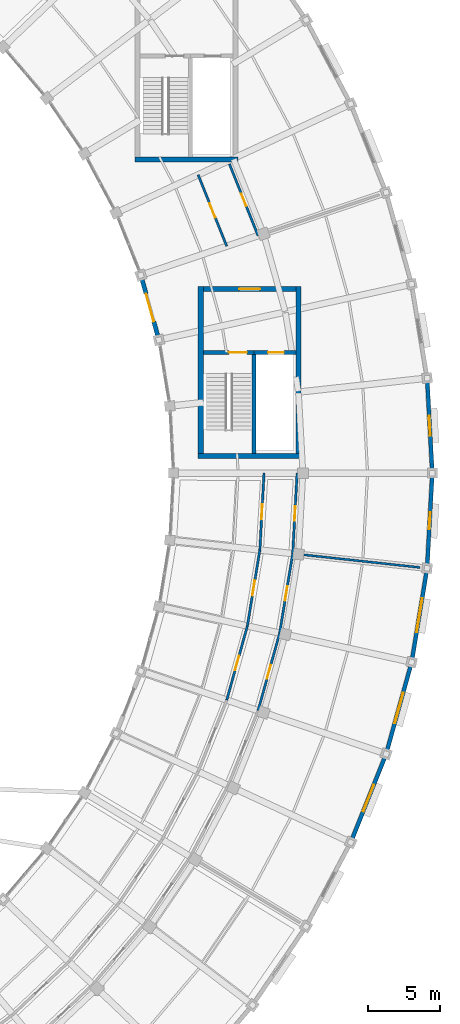
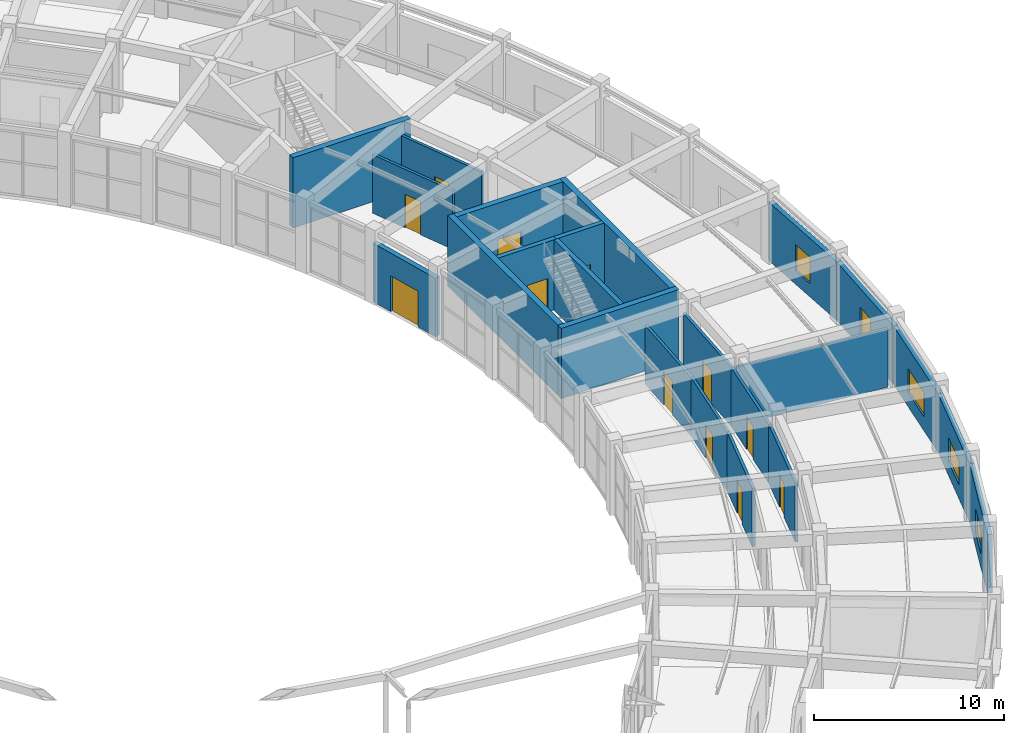
# One storey, part 94 of 108: 23 walls, 12 doors, 5 windows, 17 openings.
"""IFC4 building model written with IfcOpenShell, lengths in metres."""

from ifc_helpers import new_model, si_unit, direction, frame, frame_2d, origin, place, context, subcontext, project, spatial, rectangle, extrude, material, layer, layer_set, type_object, element, fill, save


model = new_model("IFC4")

# Units and contexts
model_context = context("Model", 3, precision=1e-05, world=origin(), true_north=direction((0.0, 1.0)))
body_context = subcontext(model_context, "Body", "Model", "MODEL_VIEW")
ifc_project = project(units=[si_unit("LENGTHUNIT", "METRE"), si_unit("AREAUNIT", "SQUARE_METRE"), si_unit("VOLUMEUNIT", "CUBIC_METRE"), si_unit("PLANEANGLEUNIT", "RADIAN"), si_unit("MASSUNIT", "GRAM", prefix="KILO")], contexts=[model_context])

# Site, building, storey
site_placement = place(None, origin())
site = spatial("IfcSite", under=ifc_project, at=site_placement, CompositionType="ELEMENT")
building_placement = place(site_placement, origin())
building = spatial("IfcBuilding", under=site, at=building_placement, Name="Tarnveldt Headland Concert Hall", CompositionType="ELEMENT")
storey_placement = place(building_placement, origin())
storey = spatial("IfcBuildingStorey", under=building, at=storey_placement, Name="L00", CompositionType="ELEMENT", Elevation=0.0)

# Walls
ifc_material_1 = material(Name="Concrete C40/50", Category="concrete")
ifc_layer_1 = layer(ifc_material_1, 0.35009765625, Name="Concrete C40/50", Category="concrete")
ifc_layer_set_1 = layer_set([ifc_layer_1], Name="Concrete C40/50")
wall_type_1 = type_object("IfcWallType", Name="WL-CR350", PredefinedType="SHEAR", material=ifc_layer_set_1)
wall_1_placement = place(storey_placement, frame((157.824951171875, 81.800048828125, 0.0), z_axis=(0.0, 0.0, 1.0), x_axis=(1.0, 0.0, 0.0)))
element("IfcWall", 1, at=wall_1_placement, inside=storey, type_object=wall_type_1, Name="Core C3 south shear wall L00", PredefinedType="SHEAR", context=body_context, shape_type="SweptSolid", body=[
    extrude(rectangle(XDim=7.150146484375, YDim=0.35009765625, at=frame_2d((3.5751953125, 0.0))), origin(), (0.0, 0.0, 1.0), 4.52001953125),
])
wall_2_placement = place(storey_placement, frame((162.22509765625, 61.199951171875, 0.0), z_axis=(0.0, 0.0, 1.0), x_axis=(1.0, 0.0, 0.0)))
element("IfcWall", 2, at=wall_2_placement, inside=storey, type_object=wall_type_1, Name="Core C4 south shear wall L00", PredefinedType="SHEAR", context=body_context, shape_type="SweptSolid", body=[
    extrude(rectangle(XDim=7.14990234375, YDim=0.35009765625, at=frame_2d((3.574951171875, 0.0))), origin(), (0.0, 0.0, 1.0), 4.52001953125),
])

# Wall, opening, door
wall_3_placement = place(storey_placement, frame((162.574951171875, 72.800048828125, 0.0), z_axis=(0.0, 0.0, 1.0), x_axis=(1.0, 0.0, 0.0)))
wall_3 = element("IfcWall", 3, at=wall_3_placement, inside=storey, type_object=wall_type_1, Name="Core C4 north shear wall L00", PredefinedType="SHEAR", context=body_context, shape_type="SweptSolid", body=[
    extrude(rectangle(XDim=6.449951171875, YDim=0.35009765625, at=frame_2d((3.22509765625, 0.0))), origin(), (0.0, 0.0, 1.0), 4.52001953125),
])
opening_1_placement = place(wall_3_placement, frame((2.5, 0.0, 0.0)))
opening_1 = element("IfcOpeningElement", 4, at=opening_1_placement, cuts=wall_3, Name="Opening LBD-C4-L00", PredefinedType="OPENING", context=body_context, shape_type="SweptSolid", body=[
    extrude(rectangle(XDim=1.449951171875, YDim=2.199951171875, at=frame_2d((0.72509765625, 1.10009765625))), frame((0.0, 0.18505859375, 0.0), z_axis=(0.0, -1.0, 0.0), x_axis=(1.0, 0.0, 0.0)), (0.0, 0.0, 1.0), 0.3701171875),
])
ifc_material_2 = material(Name="Galvanised painted steel sheet", Category="steel")
door_type_1 = type_object("IfcDoorType", Name="DR-LB145", OperationType="NOTDEFINED", PredefinedType="DOOR", material=ifc_material_2)
door_1_placement = place(opening_1_placement, origin())
door_1 = element("IfcDoor", 5, at=door_1_placement, inside=storey, type_object=door_type_1, Name="Core C4 lobby entrance door L00", OperationType="SINGLE_SWING_LEFT", OverallHeight=2.199951171875, OverallWidth=1.449951171875, PredefinedType="DOOR", context=body_context, shape_type="SweptSolid", body=[
    extrude(rectangle(XDim=1.449951171875, YDim=2.199951171875, at=frame_2d((0.72509765625, 1.10009765625))), frame((0.0, 0.02490234375, 0.0), z_axis=(0.0, -1.0, 0.0), x_axis=(1.0, 0.0, 0.0)), (0.0, 0.0, 1.0), 0.050048828125),
])
fill(opening_1, door_1)

# Walls
for number, where, z_axis, x_axis, name in (
    (6, (162.39990234375, 61.375, 0.0), (0.0, 0.0, 1.0), (0.0, 1.0, 0.0), "Core C4 west shear wall L00"),
    (7, (169.199951171875, 61.375, 0.0), (0.0, 0.0, 1.0), (0.0, 1.0, 0.0), "Core C4 east shear wall L00"),
):
    element("IfcWall", number, at=place(storey_placement, frame(where, z_axis=z_axis, x_axis=x_axis)), inside=storey, type_object=wall_type_1, Name=name, PredefinedType="SHEAR", context=body_context, shape_type="SweptSolid", body=[
        extrude(rectangle(XDim=11.60009765625, YDim=0.35009765625, at=frame_2d((5.800048828125, 0.0))), origin(), (0.0, 0.0, 1.0), 4.52001953125),
    ])

# Wall, opening, window
ifc_material_3 = material(Name="Coral-toned precast concrete C40/50", Category="concrete")
ifc_layer_2 = layer(ifc_material_3, 0.27490234375, Name="Coral-toned precast concrete C40/50", Category="concrete")
ifc_layer_set_2 = layer_set([ifc_layer_2], Name="Coral-toned precast concrete C40/50")
wall_type_2 = type_object("IfcWallType", Name="WL-EX275", PredefinedType="SOLIDWALL", material=ifc_layer_set_2)
wall_4_placement = place(storey_placement, frame((175.28369140625, 40.45751953125, 0.0), z_axis=(0.0, 0.0, 1.0), x_axis=(-0.371013273361, -0.928627563122, 0.0)))
wall_4 = element("IfcWall", 8, at=wall_4_placement, inside=storey, type_object=wall_type_2, Name="External precast wall L00-92", PredefinedType="SOLIDWALL", context=body_context, shape_type="SweptSolid", body=[
    extrude(rectangle(XDim=6.5810546875, YDim=0.27490234375, at=frame_2d((3.29052734375, 0.0))), origin(), (0.0, 0.0, 1.0), 3.758056640625),
])
opening_2_placement = place(wall_4_placement, frame((2.29052734375, 0.0, 0.89990234375)))
opening_2 = element("IfcOpeningElement", 9, at=opening_2_placement, cuts=wall_4, Name="Opening W-C029", PredefinedType="OPENING", context=body_context, shape_type="SweptSolid", body=[
    extrude(rectangle(XDim=2.0, YDim=1.550048828125, at=frame_2d((1.0, 0.77490234375))), frame((0.0, 0.1474609375, 0.0), z_axis=(0.0, -1.0, 0.0), x_axis=(1.0, 0.0, 0.0)), (0.0, 0.0, 1.0), 0.294921875),
])
ifc_material_4 = material(Name="Acoustic laminated low-iron double glazing", Category="glass")
window_type_1 = type_object("IfcWindowType", Name="WN-06", PartitioningType="SINGLE_PANEL", PredefinedType="WINDOW", material=ifc_material_4)
window_1_placement = place(opening_2_placement, origin())
window_1 = element("IfcWindow", 10, at=window_1_placement, inside=storey, type_object=window_type_1, Name="Crescent coastal studio window L00-6", OverallHeight=1.550048828125, OverallWidth=2.0, PartitioningType="SINGLE_PANEL", PredefinedType="WINDOW", context=body_context, shape_type="SweptSolid", body=[
    extrude(rectangle(XDim=2.0, YDim=1.550048828125, at=frame_2d((1.0, 0.77490234375))), frame((0.0, 0.030029296875, 0.0), z_axis=(0.0, -1.0, 0.0), x_axis=(1.0, 0.0, 0.0)), (0.0, 0.0, 1.0), 0.06005859375),
])
fill(opening_2, window_1)

wall_5_placement = place(storey_placement, frame((177.061279296875, 46.835693359375, 0.0), z_axis=(0.0, 0.0, 1.0), x_axis=(-0.268139380464, -0.96338012884, 0.0)))
wall_5 = element("IfcWall", 11, at=wall_5_placement, inside=storey, type_object=wall_type_2, Name="External precast wall L00-93", PredefinedType="SOLIDWALL", context=body_context, shape_type="SweptSolid", body=[
    extrude(rectangle(XDim=6.5810546875, YDim=0.27490234375, at=frame_2d((3.29052734375, 0.0))), origin(), (0.0, 0.0, 1.0), 3.758056640625),
])
opening_3_placement = place(wall_5_placement, frame((2.190673828125, 0.0, 0.89990234375)))
opening_3 = element("IfcOpeningElement", 12, at=opening_3_placement, cuts=wall_5, Name="Opening W-C030", PredefinedType="OPENING", context=body_context, shape_type="SweptSolid", body=[
    extrude(rectangle(XDim=2.199951171875, YDim=1.550048828125, at=frame_2d((1.10009765625, 0.77490234375))), frame((0.0, 0.1474609375, 0.0), z_axis=(0.0, -1.0, 0.0), x_axis=(1.0, 0.0, 0.0)), (0.0, 0.0, 1.0), 0.294921875),
])
window_type_2 = type_object("IfcWindowType", Name="WN-07", PartitioningType="SINGLE_PANEL", PredefinedType="WINDOW", material=ifc_material_4)
window_2_placement = place(opening_3_placement, origin())
window_2 = element("IfcWindow", 13, at=window_2_placement, inside=storey, type_object=window_type_2, Name="Crescent coastal studio window L00-7", OverallHeight=1.550048828125, OverallWidth=2.199951171875, PartitioningType="SINGLE_PANEL", PredefinedType="WINDOW", context=body_context, shape_type="SweptSolid", body=[
    extrude(rectangle(XDim=2.199951171875, YDim=1.550048828125, at=frame_2d((1.10009765625, 0.77490234375))), frame((0.0, 0.030029296875, 0.0), z_axis=(0.0, -1.0, 0.0), x_axis=(1.0, 0.0, 0.0)), (0.0, 0.0, 1.0), 0.06005859375),
])
fill(opening_3, window_2)

wall_6_placement = place(storey_placement, frame((178.137451171875, 53.368896484375, 0.0), z_axis=(0.0, 0.0, 1.0), x_axis=(-0.162178892589, -0.986761372774, 0.0)))
wall_6 = element("IfcWall", 14, at=wall_6_placement, inside=storey, type_object=wall_type_2, Name="External precast wall L00-94", PredefinedType="SOLIDWALL", context=body_context, shape_type="SweptSolid", body=[
    extrude(rectangle(XDim=6.58154296875, YDim=0.27490234375, at=frame_2d((3.290771484375, 0.0))), origin(), (0.0, 0.0, 1.0), 3.758056640625),
])
opening_4_placement = place(wall_6_placement, frame((2.0908203125, 0.0, 0.89990234375)))
opening_4 = element("IfcOpeningElement", 15, at=opening_4_placement, cuts=wall_6, Name="Opening W-C031", PredefinedType="OPENING", context=body_context, shape_type="SweptSolid", body=[
    extrude(rectangle(XDim=2.39990234375, YDim=1.550048828125, at=frame_2d((1.199951171875, 0.77490234375))), frame((0.0, 0.1474609375, 0.0), z_axis=(0.0, -1.0, 0.0), x_axis=(1.0, 0.0, 0.0)), (0.0, 0.0, 1.0), 0.294921875),
])
window_type_3 = type_object("IfcWindowType", Name="WN-08", PartitioningType="SINGLE_PANEL", PredefinedType="WINDOW", material=ifc_material_4)
window_3_placement = place(opening_4_placement, origin())
window_3 = element("IfcWindow", 16, at=window_3_placement, inside=storey, type_object=window_type_3, Name="Crescent coastal studio window L00-8", OverallHeight=1.550048828125, OverallWidth=2.39990234375, PartitioningType="SINGLE_PANEL", PredefinedType="WINDOW", context=body_context, shape_type="SweptSolid", body=[
    extrude(rectangle(XDim=2.39990234375, YDim=1.550048828125, at=frame_2d((1.199951171875, 0.77490234375))), frame((0.0, 0.030029296875, 0.0), z_axis=(0.0, -1.0, 0.0), x_axis=(1.0, 0.0, 0.0)), (0.0, 0.0, 1.0), 0.06005859375),
])
fill(opening_4, window_3)

wall_7_placement = place(storey_placement, frame((178.498779296875, 59.97998046875, 0.0), z_axis=(0.0, 0.0, 1.0), x_axis=(-0.05427216263, -0.998526180109, 0.0)))
wall_7 = element("IfcWall", 17, at=wall_7_placement, inside=storey, type_object=wall_type_2, Name="External precast wall L00-95", PredefinedType="SOLIDWALL", context=body_context, shape_type="SweptSolid", body=[
    extrude(rectangle(XDim=6.581298828125, YDim=0.27490234375, at=frame_2d((3.29052734375, 0.0))), origin(), (0.0, 0.0, 1.0), 3.758056640625),
])
opening_5_placement = place(wall_7_placement, frame((2.690673828125, 0.0, 0.85009765625)))
opening_5 = element("IfcOpeningElement", 18, at=opening_5_placement, cuts=wall_7, Name="Opening W-C032", PredefinedType="OPENING", context=body_context, shape_type="SweptSolid", body=[
    extrude(rectangle(XDim=1.199951171875, YDim=1.699951171875, at=frame_2d((0.60009765625, 0.85009765625))), frame((0.0, 0.1474609375, 0.0), z_axis=(0.0, -1.0, 0.0), x_axis=(1.0, 0.0, 0.0)), (0.0, 0.0, 1.0), 0.294921875),
])
window_type_4 = type_object("IfcWindowType", Name="WN-09", PartitioningType="SINGLE_PANEL", PredefinedType="WINDOW", material=ifc_material_4)
window_4_placement = place(opening_5_placement, origin())
window_4 = element("IfcWindow", 19, at=window_4_placement, inside=storey, type_object=window_type_4, Name="Crescent coastal studio window L00-9", OverallHeight=1.699951171875, OverallWidth=1.199951171875, PartitioningType="SINGLE_PANEL", PredefinedType="WINDOW", context=body_context, shape_type="SweptSolid", body=[
    extrude(rectangle(XDim=1.199951171875, YDim=1.699951171875, at=frame_2d((0.60009765625, 0.85009765625))), frame((0.0, 0.030029296875, 0.0), z_axis=(0.0, -1.0, 0.0), x_axis=(1.0, 0.0, 0.0)), (0.0, 0.0, 1.0), 0.06005859375),
])
fill(opening_5, window_4)

wall_8_placement = place(storey_placement, frame((178.1416015625, 66.591552734375, 0.0), z_axis=(0.0, 0.0, 1.0), x_axis=(0.05427216263, -0.998526180109, 0.0)))
wall_8 = element("IfcWall", 20, at=wall_8_placement, inside=storey, type_object=wall_type_2, Name="External precast wall L00-96", PredefinedType="SOLIDWALL", context=body_context, shape_type="SweptSolid", body=[
    extrude(rectangle(XDim=6.581298828125, YDim=0.27490234375, at=frame_2d((3.29052734375, 0.0))), origin(), (0.0, 0.0, 1.0), 3.758056640625),
])
opening_6_placement = place(wall_8_placement, frame((2.590576171875, 0.0, 0.85009765625)))
opening_6 = element("IfcOpeningElement", 21, at=opening_6_placement, cuts=wall_8, Name="Opening W-C033", PredefinedType="OPENING", context=body_context, shape_type="SweptSolid", body=[
    extrude(rectangle(XDim=1.39990234375, YDim=1.699951171875, at=frame_2d((0.699951171875, 0.85009765625))), frame((0.0, 0.1474609375, 0.0), z_axis=(0.0, -1.0, 0.0), x_axis=(1.0, 0.0, 0.0)), (0.0, 0.0, 1.0), 0.294921875),
])
window_type_5 = type_object("IfcWindowType", Name="WN-10", PartitioningType="SINGLE_PANEL", PredefinedType="WINDOW", material=ifc_material_4)
window_5_placement = place(opening_6_placement, origin())
window_5 = element("IfcWindow", 22, at=window_5_placement, inside=storey, type_object=window_type_5, Name="Crescent coastal studio window L00-10", OverallHeight=1.699951171875, OverallWidth=1.39990234375, PartitioningType="SINGLE_PANEL", PredefinedType="WINDOW", context=body_context, shape_type="SweptSolid", body=[
    extrude(rectangle(XDim=1.39990234375, YDim=1.699951171875, at=frame_2d((0.699951171875, 0.85009765625))), frame((0.0, 0.030029296875, 0.0), z_axis=(0.0, -1.0, 0.0), x_axis=(1.0, 0.0, 0.0)), (0.0, 0.0, 1.0), 0.06005859375),
])
fill(opening_6, window_5)

# Wall, opening, door
ifc_layer_3 = layer(ifc_material_3, 0.300048828125, Name="Coral-toned precast concrete C40/50", Category="concrete")
ifc_layer_set_3 = layer_set([ifc_layer_3], Name="Coral-toned precast concrete C40/50")
wall_type_3 = type_object("IfcWallType", Name="WL-EX300", PredefinedType="SOLIDWALL", material=ifc_layer_set_3)
wall_9_placement = place(storey_placement, frame((159.484375, 69.285400390625, 0.0), z_axis=(0.0, 0.0, 1.0), x_axis=(-0.268171711462, 0.963371129509, 0.0)))
wall_9 = element("IfcWall", 23, at=wall_9_placement, inside=storey, type_object=wall_type_3, Name="External precast wall L00-98", PredefinedType="SOLIDWALL", context=body_context, shape_type="SweptSolid", body=[
    extrude(rectangle(XDim=4.62744140625, YDim=0.300048828125, at=frame_2d((2.313720703125, 0.0))), origin(), (0.0, 0.0, 1.0), 3.758056640625),
])
opening_7_placement = place(wall_9_placement, frame((1.313720703125, 0.0, 0.0)))
opening_7 = element("IfcOpeningElement", 24, at=opening_7_placement, cuts=wall_9, Name="Opening EX-11", PredefinedType="OPENING", context=body_context, shape_type="SweptSolid", body=[
    extrude(rectangle(XDim=2.0, YDim=2.300048828125, at=frame_2d((1.0, 1.14990234375))), frame((0.0, 0.159912109375, 0.0), z_axis=(0.0, -1.0, 0.0), x_axis=(1.0, 0.0, 0.0)), (0.0, 0.0, 1.0), 0.320068359375),
])
ifc_material_5 = material(Name="Marine-anodised aluminium EN AW-6063-T6", Category="aluminium")
door_type_2 = type_object("IfcDoorType", Name="DR-EX200", OperationType="NOTDEFINED", PredefinedType="DOOR", material=ifc_material_5)
door_2_placement = place(opening_7_placement, origin())
door_2 = element("IfcDoor", 25, at=door_2_placement, inside=storey, type_object=door_type_2, Name="Crescent forecourt exit door EX-11", OperationType="DOUBLE_DOOR_SINGLE_SWING", OverallHeight=2.300048828125, OverallWidth=2.0, PredefinedType="DOOR", context=body_context, shape_type="SweptSolid", body=[
    extrude(rectangle(XDim=2.0, YDim=2.300048828125, at=frame_2d((1.0, 1.14990234375))), frame((0.0, 0.02490234375, 0.0), z_axis=(0.0, -1.0, 0.0), x_axis=(1.0, 0.0, 0.0)), (0.0, 0.0, 1.0), 0.050048828125),
])
fill(opening_7, door_2)

# Wall
ifc_material_6 = material(Name="Acoustic multi-layer gypsum and mineral-wool partition", Category="gypsum")
ifc_layer_4 = layer(ifc_material_6, 0.14990234375, Name="Acoustic multi-layer gypsum and mineral-wool partition", Category="gypsum")
ifc_layer_set_4 = layer_set([ifc_layer_4], Name="Acoustic multi-layer gypsum and mineral-wool partition")
wall_type_4 = type_object("IfcWallType", Name="WL-PT150", PredefinedType="PARTITIONING", material=ifc_layer_set_4)
wall_10_placement = place(storey_placement, frame((168.994873046875, 54.3857421875, 0.0), z_axis=(0.0, 0.0, 1.0), x_axis=(0.994106851206, -0.108404651128, 0.0)))
element("IfcWall", 26, at=wall_10_placement, inside=storey, type_object=wall_type_4, Name="Interior acoustic partition L00-159", PredefinedType="PARTITIONING", context=body_context, shape_type="SweptSolid", body=[
    extrude(rectangle(XDim=8.699951171875, YDim=0.14990234375, at=frame_2d((4.35009765625, 0.0))), origin(), (0.0, 0.0, 1.0), 3.760009765625),
])

# Wall, opening, door
ifc_layer_5 = layer(ifc_material_6, 0.1650390625, Name="Acoustic multi-layer gypsum and mineral-wool partition", Category="gypsum")
ifc_layer_set_5 = layer_set([ifc_layer_5], Name="Acoustic multi-layer gypsum and mineral-wool partition")
wall_type_5 = type_object("IfcWallType", Name="WL-PT165", PredefinedType="PARTITIONING", material=ifc_layer_set_5)
wall_11_placement = place(storey_placement, frame((164.206787109375, 44.220947265625, 0.0), z_axis=(0.0, 0.0, 1.0), x_axis=(0.268128561912, 0.963383139923, 0.0)))
wall_11 = element("IfcWall", 27, at=wall_11_placement, inside=storey, type_object=wall_type_5, Name="Interior acoustic partition L00-153", PredefinedType="PARTITIONING", context=body_context, shape_type="SweptSolid", body=[
    extrude(rectangle(XDim=5.351318359375, YDim=0.1650390625, at=frame_2d((2.67578125, 0.0))), origin(), (0.0, 0.0, 1.0), 3.760009765625),
])
opening_8_placement = place(wall_11_placement, frame((2.150634765625, 0.0, 0.0)))
opening_8 = element("IfcOpeningElement", 28, at=opening_8_placement, cuts=wall_11, Name="Opening D-L00-167", PredefinedType="OPENING", context=body_context, shape_type="SweptSolid", body=[
    extrude(rectangle(XDim=1.050048828125, YDim=2.14990234375, at=frame_2d((0.52490234375, 1.074951171875))), frame((0.0, 0.092529296875, 0.0), z_axis=(0.0, -1.0, 0.0), x_axis=(1.0, 0.0, 0.0)), (0.0, 0.0, 1.0), 0.18505859375),
])
ifc_material_7 = material(Name="Treated East African mvule hardwood", Category="wood")
door_type_3 = type_object("IfcDoorType", Name="DR-RM105", OperationType="NOTDEFINED", PredefinedType="DOOR", material=ifc_material_7)
door_3_placement = place(opening_8_placement, origin())
door_3 = element("IfcDoor", 29, at=door_3_placement, inside=storey, type_object=door_type_3, Name="Interior room door L00-167", OperationType="SINGLE_SWING_LEFT", OverallHeight=2.14990234375, OverallWidth=1.050048828125, PredefinedType="DOOR", context=body_context, shape_type="SweptSolid", body=[
    extrude(rectangle(XDim=1.050048828125, YDim=2.14990234375, at=frame_2d((0.52490234375, 1.074951171875))), frame((0.0, 0.02490234375, 0.0), z_axis=(0.0, -1.0, 0.0), x_axis=(1.0, 0.0, 0.0)), (0.0, 0.0, 1.0), 0.050048828125),
])
fill(opening_8, door_3)

wall_12_placement = place(storey_placement, frame((166.3857421875, 43.48486328125, 0.0), z_axis=(0.0, 0.0, 1.0), x_axis=(0.268163153024, 0.963373511863, 0.0)))
wall_12 = element("IfcWall", 30, at=wall_12_placement, inside=storey, type_object=wall_type_5, Name="Interior acoustic partition L00-154", PredefinedType="PARTITIONING", context=body_context, shape_type="SweptSolid", body=[
    extrude(rectangle(XDim=5.600830078125, YDim=0.1650390625, at=frame_2d((2.80029296875, 0.0))), origin(), (0.0, 0.0, 1.0), 3.760009765625),
])
opening_9_placement = place(wall_12_placement, frame((2.300537109375, 0.0, 0.0)))
opening_9 = element("IfcOpeningElement", 31, at=opening_9_placement, cuts=wall_12, Name="Opening D-L00-168", PredefinedType="OPENING", context=body_context, shape_type="SweptSolid", body=[
    extrude(rectangle(XDim=1.0, YDim=2.1201171875, at=frame_2d((0.5, 1.06005859375))), frame((0.0, 0.092529296875, 0.0), z_axis=(0.0, -1.0, 0.0), x_axis=(1.0, 0.0, 0.0)), (0.0, 0.0, 1.0), 0.18505859375),
])
door_type_4 = type_object("IfcDoorType", Name="DR-RM100", OperationType="NOTDEFINED", PredefinedType="DOOR", material=ifc_material_7)
door_4_placement = place(opening_9_placement, origin())
door_4 = element("IfcDoor", 32, at=door_4_placement, inside=storey, type_object=door_type_4, Name="Interior room door L00-168", OperationType="SINGLE_SWING_RIGHT", OverallHeight=2.1201171875, OverallWidth=1.0, PredefinedType="DOOR", context=body_context, shape_type="SweptSolid", body=[
    extrude(rectangle(XDim=1.0, YDim=2.1201171875, at=frame_2d((0.5, 1.06005859375))), frame((0.0, 0.02490234375, 0.0), z_axis=(0.0, -1.0, 0.0), x_axis=(1.0, 0.0, 0.0)), (0.0, 0.0, 1.0), 0.050048828125),
])
fill(opening_9, door_4)

wall_13_placement = place(storey_placement, frame((165.6416015625, 49.376220703125, 0.0), z_axis=(0.0, 0.0, 1.0), x_axis=(0.162193820857, 0.986758919127, 0.0)))
wall_13 = element("IfcWall", 33, at=wall_13_placement, inside=storey, type_object=wall_type_5, Name="Interior acoustic partition L00-155", PredefinedType="PARTITIONING", context=body_context, shape_type="SweptSolid", body=[
    extrude(rectangle(XDim=5.35107421875, YDim=0.1650390625, at=frame_2d((2.675537109375, 0.0))), origin(), (0.0, 0.0, 1.0), 3.760009765625),
])
opening_10_placement = place(wall_13_placement, frame((2.150634765625, 0.0, 0.0)))
opening_10 = element("IfcOpeningElement", 34, at=opening_10_placement, cuts=wall_13, Name="Opening D-L00-169", PredefinedType="OPENING", context=body_context, shape_type="SweptSolid", body=[
    extrude(rectangle(XDim=1.050048828125, YDim=2.14990234375, at=frame_2d((0.52490234375, 1.074951171875))), frame((0.0, 0.092529296875, 0.0), z_axis=(0.0, -1.0, 0.0), x_axis=(1.0, 0.0, 0.0)), (0.0, 0.0, 1.0), 0.18505859375),
])
door_5_placement = place(opening_10_placement, origin())
door_5 = element("IfcDoor", 35, at=door_5_placement, inside=storey, type_object=door_type_3, Name="Interior room door L00-169", OperationType="SINGLE_SWING_LEFT", OverallHeight=2.14990234375, OverallWidth=1.050048828125, PredefinedType="DOOR", context=body_context, shape_type="SweptSolid", body=[
    extrude(rectangle(XDim=1.050048828125, YDim=2.14990234375, at=frame_2d((0.52490234375, 1.074951171875))), frame((0.0, 0.02490234375, 0.0), z_axis=(0.0, -1.0, 0.0), x_axis=(1.0, 0.0, 0.0)), (0.0, 0.0, 1.0), 0.050048828125),
])
fill(opening_10, door_5)

wall_14_placement = place(storey_placement, frame((167.8876953125, 48.880615234375, 0.0), z_axis=(0.0, 0.0, 1.0), x_axis=(0.162157760567, 0.986764845689, 0.0)))
wall_14 = element("IfcWall", 36, at=wall_14_placement, inside=storey, type_object=wall_type_5, Name="Interior acoustic partition L00-156", PredefinedType="PARTITIONING", context=body_context, shape_type="SweptSolid", body=[
    extrude(rectangle(XDim=5.600830078125, YDim=0.1650390625, at=frame_2d((2.80029296875, 0.0))), origin(), (0.0, 0.0, 1.0), 3.760009765625),
])
opening_11_placement = place(wall_14_placement, frame((2.30029296875, 0.0, 0.0)))
opening_11 = element("IfcOpeningElement", 37, at=opening_11_placement, cuts=wall_14, Name="Opening D-L00-170", PredefinedType="OPENING", context=body_context, shape_type="SweptSolid", body=[
    extrude(rectangle(XDim=1.0, YDim=2.1201171875, at=frame_2d((0.5, 1.06005859375))), frame((0.0, 0.092529296875, 0.0), z_axis=(0.0, -1.0, 0.0), x_axis=(1.0, 0.0, 0.0)), (0.0, 0.0, 1.0), 0.18505859375),
])
door_6_placement = place(opening_11_placement, origin())
door_6 = element("IfcDoor", 38, at=door_6_placement, inside=storey, type_object=door_type_4, Name="Interior room door L00-170", OperationType="SINGLE_SWING_RIGHT", OverallHeight=2.1201171875, OverallWidth=1.0, PredefinedType="DOOR", context=body_context, shape_type="SweptSolid", body=[
    extrude(rectangle(XDim=1.0, YDim=2.1201171875, at=frame_2d((0.5, 1.06005859375))), frame((0.0, 0.02490234375, 0.0), z_axis=(0.0, -1.0, 0.0), x_axis=(1.0, 0.0, 0.0)), (0.0, 0.0, 1.0), 0.050048828125),
])
fill(opening_11, door_6)

wall_15_placement = place(storey_placement, frame((166.509521484375, 54.656494140625, 0.0), z_axis=(0.0, 0.0, 1.0), x_axis=(0.054289989542, 0.998525211016, 0.0)))
wall_15 = element("IfcWall", 39, at=wall_15_placement, inside=storey, type_object=wall_type_5, Name="Interior acoustic partition L00-157", PredefinedType="PARTITIONING", context=body_context, shape_type="SweptSolid", body=[
    extrude(rectangle(XDim=5.351318359375, YDim=0.1650390625, at=frame_2d((2.67578125, 0.0))), origin(), (0.0, 0.0, 1.0), 3.760009765625),
])
opening_12_placement = place(wall_15_placement, frame((2.150634765625, 0.0, 0.0)))
opening_12 = element("IfcOpeningElement", 40, at=opening_12_placement, cuts=wall_15, Name="Opening D-L00-171", PredefinedType="OPENING", context=body_context, shape_type="SweptSolid", body=[
    extrude(rectangle(XDim=1.050048828125, YDim=2.14990234375, at=frame_2d((0.52490234375, 1.074951171875))), frame((0.0, 0.092529296875, 0.0), z_axis=(0.0, -1.0, 0.0), x_axis=(1.0, 0.0, 0.0)), (0.0, 0.0, 1.0), 0.18505859375),
])
door_7_placement = place(opening_12_placement, origin())
door_7 = element("IfcDoor", 41, at=door_7_placement, inside=storey, type_object=door_type_3, Name="Interior room door L00-171", OperationType="SINGLE_SWING_LEFT", OverallHeight=2.14990234375, OverallWidth=1.050048828125, PredefinedType="DOOR", context=body_context, shape_type="SweptSolid", body=[
    extrude(rectangle(XDim=1.050048828125, YDim=2.14990234375, at=frame_2d((0.52490234375, 1.074951171875))), frame((0.0, 0.02490234375, 0.0), z_axis=(0.0, -1.0, 0.0), x_axis=(1.0, 0.0, 0.0)), (0.0, 0.0, 1.0), 0.050048828125),
])
fill(opening_12, door_7)

wall_16_placement = place(storey_placement, frame((168.7958984375, 54.4072265625, 0.0), z_axis=(0.0, 0.0, 1.0), x_axis=(0.054311200267, 0.99852405756, 0.0)))
wall_16 = element("IfcWall", 42, at=wall_16_placement, inside=storey, type_object=wall_type_5, Name="Interior acoustic partition L00-158", PredefinedType="PARTITIONING", context=body_context, shape_type="SweptSolid", body=[
    extrude(rectangle(XDim=5.60107421875, YDim=0.1650390625, at=frame_2d((2.800537109375, 0.0))), origin(), (0.0, 0.0, 1.0), 3.760009765625),
])
opening_13_placement = place(wall_16_placement, frame((2.300537109375, 0.0, 0.0)))
opening_13 = element("IfcOpeningElement", 43, at=opening_13_placement, cuts=wall_16, Name="Opening D-L00-172", PredefinedType="OPENING", context=body_context, shape_type="SweptSolid", body=[
    extrude(rectangle(XDim=1.0, YDim=2.1201171875, at=frame_2d((0.5, 1.06005859375))), frame((0.0, 0.092529296875, 0.0), z_axis=(0.0, -1.0, 0.0), x_axis=(1.0, 0.0, 0.0)), (0.0, 0.0, 1.0), 0.18505859375),
])
door_8_placement = place(opening_13_placement, origin())
door_8 = element("IfcDoor", 44, at=door_8_placement, inside=storey, type_object=door_type_4, Name="Interior room door L00-172", OperationType="SINGLE_SWING_RIGHT", OverallHeight=2.1201171875, OverallWidth=1.0, PredefinedType="DOOR", context=body_context, shape_type="SweptSolid", body=[
    extrude(rectangle(XDim=1.0, YDim=2.1201171875, at=frame_2d((0.5, 1.06005859375))), frame((0.0, 0.02490234375, 0.0), z_axis=(0.0, -1.0, 0.0), x_axis=(1.0, 0.0, 0.0)), (0.0, 0.0, 1.0), 0.050048828125),
])
fill(opening_13, door_8)

wall_17_placement = place(storey_placement, frame((164.206787109375, 75.779052734375, 0.0), z_axis=(0.0, 0.0, 1.0), x_axis=(-0.371052411724, 0.92861192527, 0.0)))
wall_17 = element("IfcWall", 45, at=wall_17_placement, inside=storey, type_object=wall_type_5, Name="Interior acoustic partition L00-160", PredefinedType="PARTITIONING", context=body_context, shape_type="SweptSolid", body=[
    extrude(rectangle(XDim=5.351318359375, YDim=0.1650390625, at=frame_2d((2.67578125, 0.0))), origin(), (0.0, 0.0, 1.0), 3.760009765625),
])
opening_14_placement = place(wall_17_placement, frame((2.150634765625, 0.0, 0.0)))
opening_14 = element("IfcOpeningElement", 46, at=opening_14_placement, cuts=wall_17, Name="Opening D-L00-173", PredefinedType="OPENING", context=body_context, shape_type="SweptSolid", body=[
    extrude(rectangle(XDim=1.050048828125, YDim=2.14990234375, at=frame_2d((0.52490234375, 1.074951171875))), frame((0.0, 0.092529296875, 0.0), z_axis=(0.0, -1.0, 0.0), x_axis=(1.0, 0.0, 0.0)), (0.0, 0.0, 1.0), 0.18505859375),
])
door_9_placement = place(opening_14_placement, origin())
door_9 = element("IfcDoor", 47, at=door_9_placement, inside=storey, type_object=door_type_3, Name="Interior room door L00-173", OperationType="SINGLE_SWING_LEFT", OverallHeight=2.14990234375, OverallWidth=1.050048828125, PredefinedType="DOOR", context=body_context, shape_type="SweptSolid", body=[
    extrude(rectangle(XDim=1.050048828125, YDim=2.14990234375, at=frame_2d((0.52490234375, 1.074951171875))), frame((0.0, 0.02490234375, 0.0), z_axis=(0.0, -1.0, 0.0), x_axis=(1.0, 0.0, 0.0)), (0.0, 0.0, 1.0), 0.050048828125),
])
fill(opening_14, door_9)

wall_18_placement = place(storey_placement, frame((166.3857421875, 76.51513671875, 0.0), z_axis=(0.0, 0.0, 1.0), x_axis=(-0.370990720389, 0.928636573362, 0.0)))
wall_18 = element("IfcWall", 48, at=wall_18_placement, inside=storey, type_object=wall_type_5, Name="Interior acoustic partition L00-161", PredefinedType="PARTITIONING", context=body_context, shape_type="SweptSolid", body=[
    extrude(rectangle(XDim=5.367919921875, YDim=0.1650390625, at=frame_2d((2.68408203125, 0.0))), origin(), (0.0, 0.0, 1.0), 3.760009765625),
])
opening_15_placement = place(wall_18_placement, frame((2.223876953125, 0.0, 0.0)))
opening_15 = element("IfcOpeningElement", 49, at=opening_15_placement, cuts=wall_18, Name="Opening D-L00-174", PredefinedType="OPENING", context=body_context, shape_type="SweptSolid", body=[
    extrude(rectangle(XDim=0.919921875, YDim=2.10009765625, at=frame_2d((0.4599609375, 1.050048828125))), frame((0.0, 0.092529296875, 0.0), z_axis=(0.0, -1.0, 0.0), x_axis=(1.0, 0.0, 0.0)), (0.0, 0.0, 1.0), 0.18505859375),
])
door_type_5 = type_object("IfcDoorType", Name="DR-WC092", OperationType="NOTDEFINED", PredefinedType="DOOR", material=ifc_material_7)
door_10_placement = place(opening_15_placement, origin())
door_10 = element("IfcDoor", 50, at=door_10_placement, inside=storey, type_object=door_type_5, Name="Interior room door L00-174", OperationType="SINGLE_SWING_RIGHT", OverallHeight=2.10009765625, OverallWidth=0.919921875, PredefinedType="DOOR", context=body_context, shape_type="SweptSolid", body=[
    extrude(rectangle(XDim=0.919921875, YDim=2.10009765625, at=frame_2d((0.4599609375, 1.050048828125))), frame((0.0, 0.02490234375, 0.0), z_axis=(0.0, -1.0, 0.0), x_axis=(1.0, 0.0, 0.0)), (0.0, 0.0, 1.0), 0.050048828125),
])
fill(opening_15, door_10)

# Wall
ifc_layer_6 = layer(ifc_material_1, 0.27490234375, Name="Concrete C40/50", Category="concrete")
ifc_layer_set_6 = layer_set([ifc_layer_6], Name="Concrete C40/50")
wall_type_6 = type_object("IfcWallType", Name="WL-SH275", PredefinedType="SHEAR", material=ifc_layer_set_6)
wall_19_placement = place(storey_placement, frame((166.10009765625, 61.375, 0.0), z_axis=(0.0, 0.0, 1.0), x_axis=(0.0, 1.0, 0.0)))
element("IfcWall", 51, at=wall_19_placement, inside=storey, type_object=wall_type_6, Name="Core C4 shaft divider wall L00", PredefinedType="SHEAR", context=body_context, shape_type="SweptSolid", body=[
    extrude(rectangle(XDim=6.887451171875, YDim=0.27490234375, at=frame_2d((3.44384765625, 0.0))), origin(), (0.0, 0.0, 1.0), 4.52001953125),
])

# Wall, opening, door
wall_20_placement = place(storey_placement, frame((162.574951171875, 68.39990234375, 0.0), z_axis=(0.0, 0.0, 1.0), x_axis=(1.0, 0.0, 0.0)))
wall_20 = element("IfcWall", 52, at=wall_20_placement, inside=storey, type_object=wall_type_6, Name="Core C4 stair enclosure wall L00", PredefinedType="SHEAR", context=body_context, shape_type="SweptSolid", body=[
    extrude(rectangle(XDim=3.525146484375, YDim=0.27490234375, at=frame_2d((1.7626953125, 0.0))), origin(), (0.0, 0.0, 1.0), 4.52001953125),
])
opening_16_placement = place(wall_20_placement, frame((1.784912109375, 0.0, 0.0)))
opening_16 = element("IfcOpeningElement", 53, at=opening_16_placement, cuts=wall_20, Name="Opening SD-C4-L00", PredefinedType="OPENING", context=body_context, shape_type="SweptSolid", body=[
    extrude(rectangle(XDim=1.25, YDim=2.14990234375, at=frame_2d((0.625, 1.074951171875))), frame((0.0, 0.1474609375, 0.0), z_axis=(0.0, -1.0, 0.0), x_axis=(1.0, 0.0, 0.0)), (0.0, 0.0, 1.0), 0.294921875),
])
door_type_6 = type_object("IfcDoorType", Name="DR-ST125", OperationType="NOTDEFINED", PredefinedType="DOOR", material=ifc_material_2)
door_11_placement = place(opening_16_placement, origin())
door_11 = element("IfcDoor", 54, at=door_11_placement, inside=storey, type_object=door_type_6, Name="Core C4 stair fire door L00", OperationType="SINGLE_SWING_RIGHT", OverallHeight=2.14990234375, OverallWidth=1.25, PredefinedType="DOOR", context=body_context, shape_type="SweptSolid", body=[
    extrude(rectangle(XDim=1.25, YDim=2.14990234375, at=frame_2d((0.625, 1.074951171875))), frame((0.0, 0.02490234375, 0.0), z_axis=(0.0, -1.0, 0.0), x_axis=(1.0, 0.0, 0.0)), (0.0, 0.0, 1.0), 0.050048828125),
])
fill(opening_16, door_11)

wall_21_placement = place(storey_placement, frame((166.10009765625, 68.39990234375, 0.0), z_axis=(0.0, 0.0, 1.0), x_axis=(1.0, 0.0, 0.0)))
wall_21 = element("IfcWall", 55, at=wall_21_placement, inside=storey, type_object=wall_type_6, Name="Core C4 lift shaft front wall L00", PredefinedType="SHEAR", context=body_context, shape_type="SweptSolid", body=[
    extrude(rectangle(XDim=2.9248046875, YDim=0.27490234375, at=frame_2d((1.46240234375, 0.0))), origin(), (0.0, 0.0, 1.0), 4.52001953125),
])
opening_17_placement = place(wall_21_placement, frame((0.982421875, 0.0, 0.0)))
opening_17 = element("IfcOpeningElement", 56, at=opening_17_placement, cuts=wall_21, Name="Opening LD-LP-04-L00", PredefinedType="OPENING", context=body_context, shape_type="SweptSolid", body=[
    extrude(rectangle(XDim=1.10009765625, YDim=2.14990234375, at=frame_2d((0.550048828125, 1.074951171875))), frame((0.0, 0.1474609375, 0.0), z_axis=(0.0, -1.0, 0.0), x_axis=(1.0, 0.0, 0.0)), (0.0, 0.0, 1.0), 0.294921875),
])
door_type_7 = type_object("IfcDoorType", Name="LD-110", OperationType="NOTDEFINED", PredefinedType="DOOR", material=ifc_material_2)
door_12_placement = place(opening_17_placement, origin())
door_12 = element("IfcDoor", 57, at=door_12_placement, inside=storey, type_object=door_type_7, Name="Lift LP-04 sliding landing door L00", OperationType="DOUBLE_DOOR_SLIDING", OverallHeight=2.14990234375, OverallWidth=1.10009765625, PredefinedType="DOOR", context=body_context, shape_type="SweptSolid", body=[
    extrude(rectangle(XDim=1.10009765625, YDim=2.14990234375, at=frame_2d((0.550048828125, 1.074951171875))), frame((0.0, 0.02490234375, 0.0), z_axis=(0.0, -1.0, 0.0), x_axis=(1.0, 0.0, 0.0)), (0.0, 0.0, 1.0), 0.050048828125),
])
fill(opening_17, door_12)

save(model, "model.ifc")
